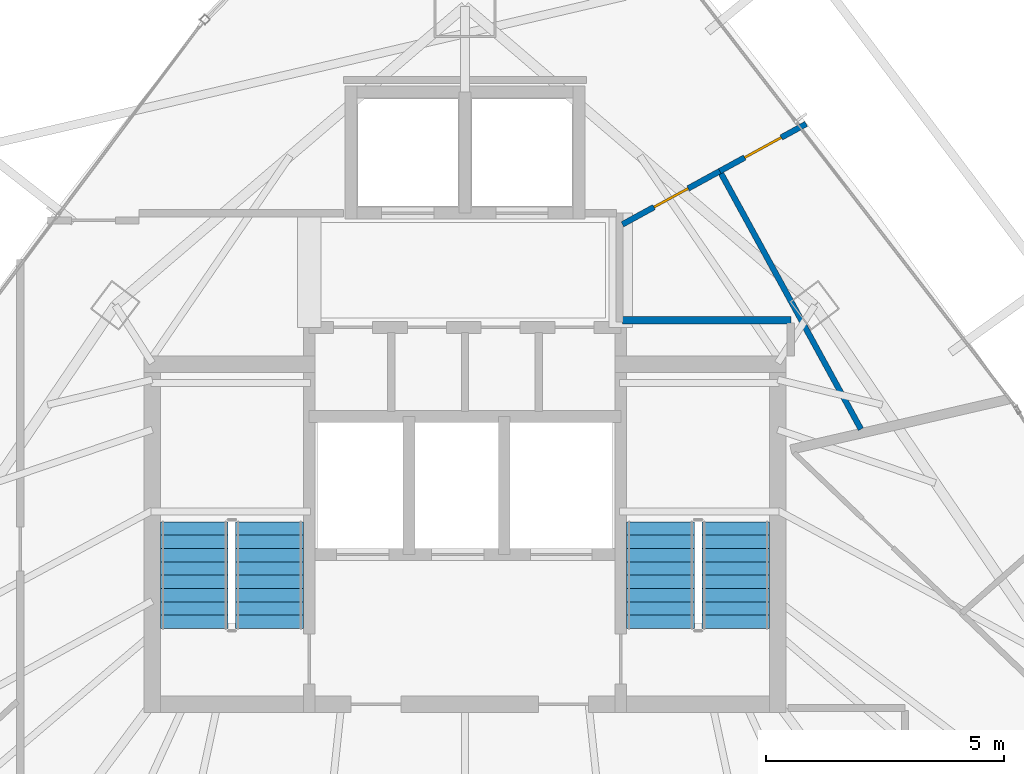
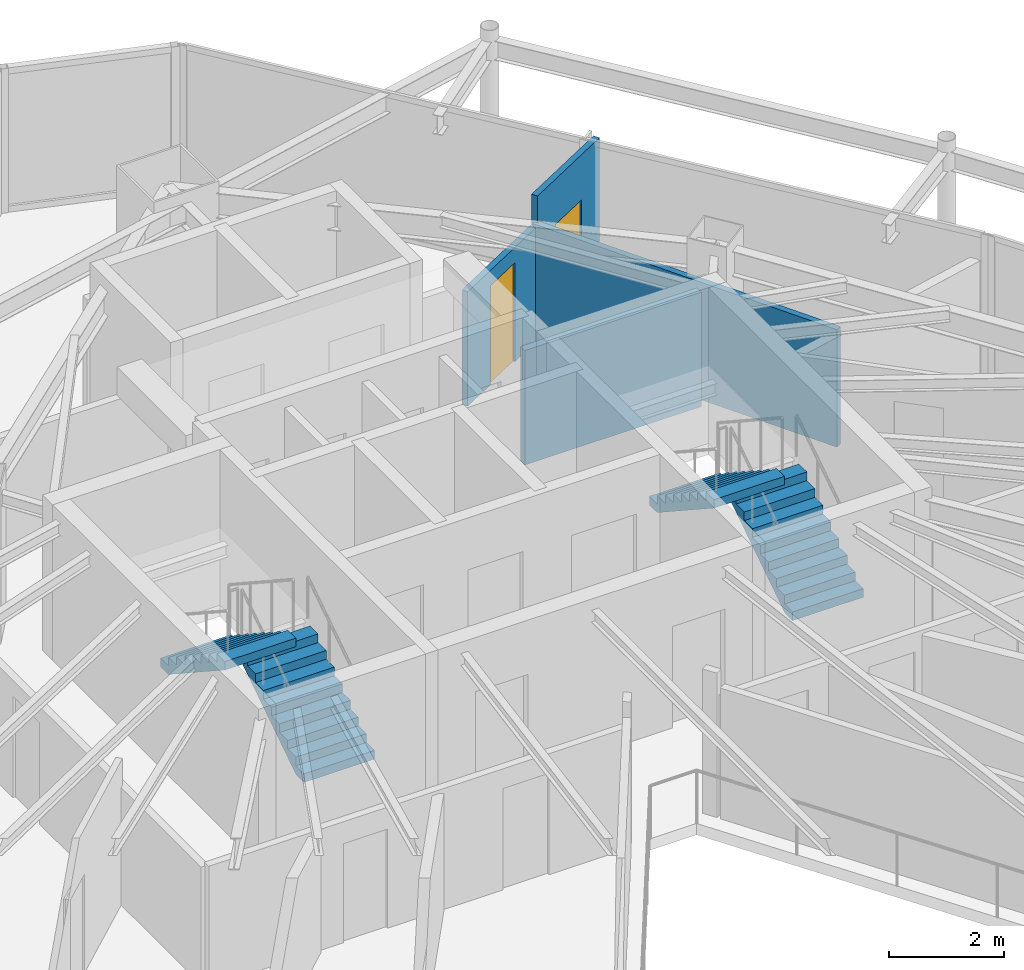
# One storey, part 29 of 32: 4 stair flights, 4 walls, 2 doors, 2 openings, 2 elements without a shape of their own.
"""IFC4 building model written with IfcOpenShell, lengths in metres."""

from ifc_helpers import new_model, si_unit, direction, frame, frame_2d, origin, place, context, subcontext, project, spatial, polyline, rectangle, outline, extrude, material, layer, layer_set, type_object, element, fill, aggregate, save


model = new_model("IFC4")

# Units and contexts
model_context = context("Model", 3, precision=1e-05, world=origin(), true_north=direction((0.0, 1.0)))
body_context = subcontext(model_context, "Body", "Model", "MODEL_VIEW")
ifc_project = project(units=[si_unit("LENGTHUNIT", "METRE"), si_unit("AREAUNIT", "SQUARE_METRE"), si_unit("VOLUMEUNIT", "CUBIC_METRE"), si_unit("PLANEANGLEUNIT", "RADIAN"), si_unit("MASSUNIT", "GRAM", prefix="KILO")], contexts=[model_context])

# Site, building, storey
site_placement = place(None, origin())
site = spatial("IfcSite", under=ifc_project, at=site_placement, CompositionType="ELEMENT")
building_placement = place(site_placement, origin())
building = spatial("IfcBuilding", under=site, at=building_placement, Name="Orvanel Arch Residences", CompositionType="ELEMENT")
storey_placement = place(building_placement, frame((0.0, 0.0, 219.5)))
storey = spatial("IfcBuildingStorey", under=building, at=storey_placement, Name="L62", CompositionType="ELEMENT", Elevation=219.5)

# Wall
ifc_material_1 = material(Name="Fire-rated plasterboard lined steel stud partition", Category="steel")
ifc_layer_1 = layer(ifc_material_1, 0.14990234375)
ifc_layer_set_1 = layer_set([ifc_layer_1], Name="Fire-rated plasterboard lined steel stud partition")
wall_type_1 = type_object("IfcWallType", Name="W-COR-150", PredefinedType="PARTITIONING", material=ifc_layer_set_1)
wall_1_placement = place(storey_placement, frame((36.31005859375, 34.800048828125, 0.0), z_axis=(0.0, 0.0, 1.0), x_axis=(1.0, 0.0, 0.0)))
element("IfcWall", 1, at=wall_1_placement, inside=storey, type_object=wall_type_1, Name="L62 Core Perimeter Partition", PredefinedType="PARTITIONING", context=body_context, shape_type="SweptSolid", body=[
    extrude(rectangle(XDim=3.5400390625, YDim=0.14990234375, at=frame_2d((1.77001953125, 0.0))), origin(), (0.0, 0.0, 1.0), 2.425048828125),
])

# Wall, opening, door
ifc_material_2 = material(Name="Acoustic plasterboard lined twin-stud partition", Category="gypsum")
ifc_layer_2 = layer(ifc_material_2, 0.1201171875)
ifc_layer_set_2 = layer_set([ifc_layer_2], Name="Acoustic plasterboard lined twin-stud partition")
wall_type_2 = type_object("IfcWallType", Name="W-WET-120", PredefinedType="PARTITIONING", material=ifc_layer_set_2)
wall_2_placement = place(storey_placement, frame((38.35693359375, 37.93408203125, 0.0), z_axis=(0.0, 0.0, 1.0), x_axis=(-0.877415192217, -0.479731779714, 0.0)))
wall_2 = element("IfcWall", 2, at=wall_2_placement, inside=storey, type_object=wall_type_2, Name="L62 Studio E Bathroom Partition", PredefinedType="PARTITIONING", context=body_context, shape_type="SweptSolid", body=[
    extrude(rectangle(XDim=2.332763671875, YDim=0.1201171875, at=frame_2d((1.16650390625, 0.0))), origin(), (0.0, 0.0, 1.0), 2.425048828125),
])
opening_1_placement = place(wall_2_placement, frame((0.756103515625, 0.0, 0.0)))
opening_1 = element("IfcOpeningElement", 3, at=opening_1_placement, cuts=wall_2, Name="Opening DW-082", PredefinedType="OPENING", context=body_context, shape_type="SweptSolid", body=[
    extrude(rectangle(XDim=0.820068359375, YDim=2.10009765625, at=frame_2d((0.41015625, 1.050048828125))), frame((0.0, 0.070068359375, 0.0), z_axis=(0.0, -1.0, 0.0), x_axis=(1.0, 0.0, 0.0)), (0.0, 0.0, 1.0), 0.14013671875),
])
ifc_material_3 = material(Name="Solid-core European oak veneer fire door leaf", Category="wood")
door_type_1 = type_object("IfcDoorType", Name="DR-WET-820", OperationType="NOTDEFINED", PredefinedType="DOOR", material=ifc_material_3)
door_1_placement = place(opening_1_placement, origin())
door_1 = element("IfcDoor", 4, at=door_1_placement, inside=storey, type_object=door_type_1, Name="DR-L62-E-BATH L62 Studio E Bathroom Door", OperationType="SINGLE_SWING_RIGHT", OverallHeight=2.10009765625, OverallWidth=0.820068359375, PredefinedType="DOOR", context=body_context, shape_type="SweptSolid", body=[
    extrude(rectangle(XDim=0.820068359375, YDim=2.10009765625, at=frame_2d((0.41015625, 1.050048828125))), frame((0.0, 0.02490234375, 0.0), z_axis=(0.0, -1.0, 0.0), x_axis=(1.0, 0.0, 0.0)), (0.0, 0.0, 1.0), 0.050048828125),
])
fill(opening_1, door_1)

wall_3_placement = place(storey_placement, frame((40.172119140625, 38.927001953125, 0.0), z_axis=(0.0, 0.0, 1.0), x_axis=(-0.877322236726, -0.479901753432, 0.0)))
wall_3 = element("IfcWall", 5, at=wall_3_placement, inside=storey, type_object=wall_type_2, Name="L62 Studio E Internal Partition", PredefinedType="PARTITIONING", context=body_context, shape_type="SweptSolid", body=[
    extrude(rectangle(XDim=2.069091796875, YDim=0.1201171875, at=frame_2d((1.03466796875, 0.0))), origin(), (0.0, 0.0, 1.0), 3.06005859375),
])
opening_2_placement = place(wall_3_placement, frame((0.593994140625, 0.0, 0.0)))
opening_2 = element("IfcOpeningElement", 6, at=opening_2_placement, cuts=wall_3, Name="Opening DI-088", PredefinedType="OPENING", context=body_context, shape_type="SweptSolid", body=[
    extrude(rectangle(XDim=0.8798828125, YDim=2.10009765625, at=frame_2d((0.43994140625, 1.050048828125))), frame((0.0, 0.070068359375, 0.0), z_axis=(0.0, -1.0, 0.0), x_axis=(1.0, 0.0, 0.0)), (0.0, 0.0, 1.0), 0.14013671875),
])
door_type_2 = type_object("IfcDoorType", Name="DR-INT-880", OperationType="NOTDEFINED", PredefinedType="DOOR", material=ifc_material_3)
door_2_placement = place(opening_2_placement, origin())
door_2 = element("IfcDoor", 7, at=door_2_placement, inside=storey, type_object=door_type_2, Name="DR-L62-E-KIT L62 Studio E Kitchenette Door", OperationType="SINGLE_SWING_LEFT", OverallHeight=2.10009765625, OverallWidth=0.8798828125, PredefinedType="DOOR", context=body_context, shape_type="SweptSolid", body=[
    extrude(rectangle(XDim=0.8798828125, YDim=2.10009765625, at=frame_2d((0.43994140625, 1.050048828125))), frame((0.0, 0.02490234375, 0.0), z_axis=(0.0, -1.0, 0.0), x_axis=(1.0, 0.0, 0.0)), (0.0, 0.0, 1.0), 0.050048828125),
])
fill(opening_2, door_2)

# Wall
wall_4_placement = place(storey_placement, frame((38.35693359375, 37.93408203125, 0.0), z_axis=(0.0, 0.0, 1.0), x_axis=(0.479839410825, -0.877356335715, 0.0)))
element("IfcWall", 8, at=wall_4_placement, inside=storey, type_object=wall_type_2, Name="L62 Studio E Bathroom Partition", PredefinedType="PARTITIONING", context=body_context, shape_type="SweptSolid", body=[
    extrude(rectangle(XDim=6.183349609375, YDim=0.1201171875, at=frame_2d((3.091796875, 0.0))), origin(), (0.0, 0.0, 1.0), 2.491943359375),
])

# Stair, stair flights
ifc_material_4 = material(Name="Precast concrete N50 (50 MPa)", Category="concrete")
stair_type = type_object("IfcStairType", Name="STR-DOG-184", PredefinedType="USERDEFINED", material=ifc_material_4)
stair_1_placement = place(storey_placement, origin())
stair_1 = element("IfcStair", 9, at=stair_1_placement, inside=storey, type_object=stair_type, Name="L62 Fire-Isolated Core Exit Stair 1", ObjectType="TWO_RETURN_STAIR", PredefinedType="USERDEFINED")
stair_flight_type_1 = type_object("IfcStairFlightType", Name="SFL-C1-184", PredefinedType="STRAIGHT", material=ifc_material_4)
stair_flight_1_placement = place(storey_placement, frame((28.889892578125, 28.320068359375, 0.0), z_axis=(0.0, 0.0, 1.0), x_axis=(0.0, 1.0, 0.0)))
stair_flight_1 = element("IfcStairFlight", 10, at=stair_flight_1_placement, type_object=stair_flight_type_1, Name="ST-1 flight 1", NumberOfRisers=9, NumberOfTreads=8, PredefinedType="STRAIGHT", RiserHeight=0.183333333, TreadLength=0.28, context=body_context, shape_type="SweptSolid", body=[
    extrude(outline(polyline([(0.0, 0.0), (0.0, 0.183349609375), (0.280029296875, 0.183349609375), (0.280029296875, 0.36669921875), (0.56005859375, 0.36669921875), (0.56005859375, 0.550048828125), (0.840087890625, 0.550048828125), (0.840087890625, 0.7333984375), (1.1201171875, 0.7333984375), (1.1201171875, 0.916748046875), (1.39990234375, 0.916748046875), (1.39990234375, 1.10009765625), (1.679931640625, 1.10009765625), (1.679931640625, 1.283447265625), (1.9599609375, 1.283447265625), (1.9599609375, 1.466552734375), (2.239990234375, 1.466552734375), (2.239990234375, 1.64990234375), (2.239990234375, 1.28759765625), (0.273681640625, 0.0), (0.0, 0.0)])), frame((0.0, 0.7099609375, 0.0), z_axis=(0.0, -1.0, 0.0), x_axis=(1.0, 0.0, 0.0)), (0.0, 0.0, 1.0), 1.419921875),
])
stair_flight_2_placement = place(storey_placement, frame((27.31005859375, 30.56005859375, 1.64990234375), z_axis=(0.0, 0.0, 1.0), x_axis=(0.0, -1.0, 0.0)))
stair_flight_2 = element("IfcStairFlight", 11, at=stair_flight_2_placement, type_object=stair_flight_type_1, Name="ST-1 flight 2", NumberOfRisers=9, NumberOfTreads=8, PredefinedType="STRAIGHT", RiserHeight=0.183333333, TreadLength=0.28, context=body_context, shape_type="SweptSolid", body=[
    extrude(outline(polyline([(0.0, 0.0), (0.0, 0.183349609375), (0.280029296875, 0.183349609375), (0.280029296875, 0.36669921875), (0.56005859375, 0.36669921875), (0.56005859375, 0.550048828125), (0.840087890625, 0.550048828125), (0.840087890625, 0.7333984375), (1.1201171875, 0.7333984375), (1.1201171875, 0.916748046875), (1.39990234375, 0.916748046875), (1.39990234375, 1.10009765625), (1.679931640625, 1.10009765625), (1.679931640625, 1.283447265625), (1.9599609375, 1.283447265625), (1.9599609375, 1.466552734375), (2.239990234375, 1.466552734375), (2.239990234375, 1.64990234375), (2.239990234375, 1.28759765625), (0.273681640625, 0.0), (0.0, 0.0)])), frame((0.0, 0.7099609375, 0.0), z_axis=(0.0, -1.0, 0.0), x_axis=(1.0, 0.0, 0.0)), (0.0, 0.0, 1.0), 1.419921875),
])
aggregate(stair_1, [stair_flight_1, stair_flight_2])

stair_2_placement = place(storey_placement, origin())
stair_2 = element("IfcStair", 12, at=stair_2_placement, inside=storey, type_object=stair_type, Name="L62 Fire-Isolated Core Exit Stair 2", ObjectType="TWO_RETURN_STAIR", PredefinedType="USERDEFINED")
stair_flight_type_2 = type_object("IfcStairFlightType", Name="SFL-C2-184", PredefinedType="STRAIGHT", material=ifc_material_4)
stair_flight_3_placement = place(storey_placement, frame((38.68994140625, 28.320068359375, 0.0), z_axis=(0.0, 0.0, 1.0), x_axis=(0.0, 1.0, 0.0)))
stair_flight_3 = element("IfcStairFlight", 13, at=stair_flight_3_placement, type_object=stair_flight_type_2, Name="ST-2 flight 1", NumberOfRisers=9, NumberOfTreads=8, PredefinedType="STRAIGHT", RiserHeight=0.183333333, TreadLength=0.28, context=body_context, shape_type="SweptSolid", body=[
    extrude(outline(polyline([(0.0, 0.0), (0.0, 0.183349609375), (0.280029296875, 0.183349609375), (0.280029296875, 0.36669921875), (0.56005859375, 0.36669921875), (0.56005859375, 0.550048828125), (0.840087890625, 0.550048828125), (0.840087890625, 0.7333984375), (1.1201171875, 0.7333984375), (1.1201171875, 0.916748046875), (1.39990234375, 0.916748046875), (1.39990234375, 1.10009765625), (1.679931640625, 1.10009765625), (1.679931640625, 1.283447265625), (1.9599609375, 1.283447265625), (1.9599609375, 1.466552734375), (2.239990234375, 1.466552734375), (2.239990234375, 1.64990234375), (2.239990234375, 1.28759765625), (0.273681640625, 0.0), (0.0, 0.0)])), frame((0.0, 0.7099609375, 0.0), z_axis=(0.0, -1.0, 0.0), x_axis=(1.0, 0.0, 0.0)), (0.0, 0.0, 1.0), 1.419921875),
])
stair_flight_4_placement = place(storey_placement, frame((37.110107421875, 30.56005859375, 1.64990234375), z_axis=(0.0, 0.0, 1.0), x_axis=(0.0, -1.0, 0.0)))
stair_flight_4 = element("IfcStairFlight", 14, at=stair_flight_4_placement, type_object=stair_flight_type_2, Name="ST-2 flight 2", NumberOfRisers=9, NumberOfTreads=8, PredefinedType="STRAIGHT", RiserHeight=0.183333333, TreadLength=0.28, context=body_context, shape_type="SweptSolid", body=[
    extrude(outline(polyline([(0.0, 0.0), (0.0, 0.183349609375), (0.280029296875, 0.183349609375), (0.280029296875, 0.36669921875), (0.56005859375, 0.36669921875), (0.56005859375, 0.550048828125), (0.840087890625, 0.550048828125), (0.840087890625, 0.7333984375), (1.1201171875, 0.7333984375), (1.1201171875, 0.916748046875), (1.39990234375, 0.916748046875), (1.39990234375, 1.10009765625), (1.679931640625, 1.10009765625), (1.679931640625, 1.283447265625), (1.9599609375, 1.283447265625), (1.9599609375, 1.466552734375), (2.239990234375, 1.466552734375), (2.239990234375, 1.64990234375), (2.239990234375, 1.28759765625), (0.273681640625, 0.0), (0.0, 0.0)])), frame((0.0, 0.7099609375, 0.0), z_axis=(0.0, -1.0, 0.0), x_axis=(1.0, 0.0, 0.0)), (0.0, 0.0, 1.0), 1.419921875),
])
aggregate(stair_2, [stair_flight_3, stair_flight_4])

save(model, "model.ifc")
